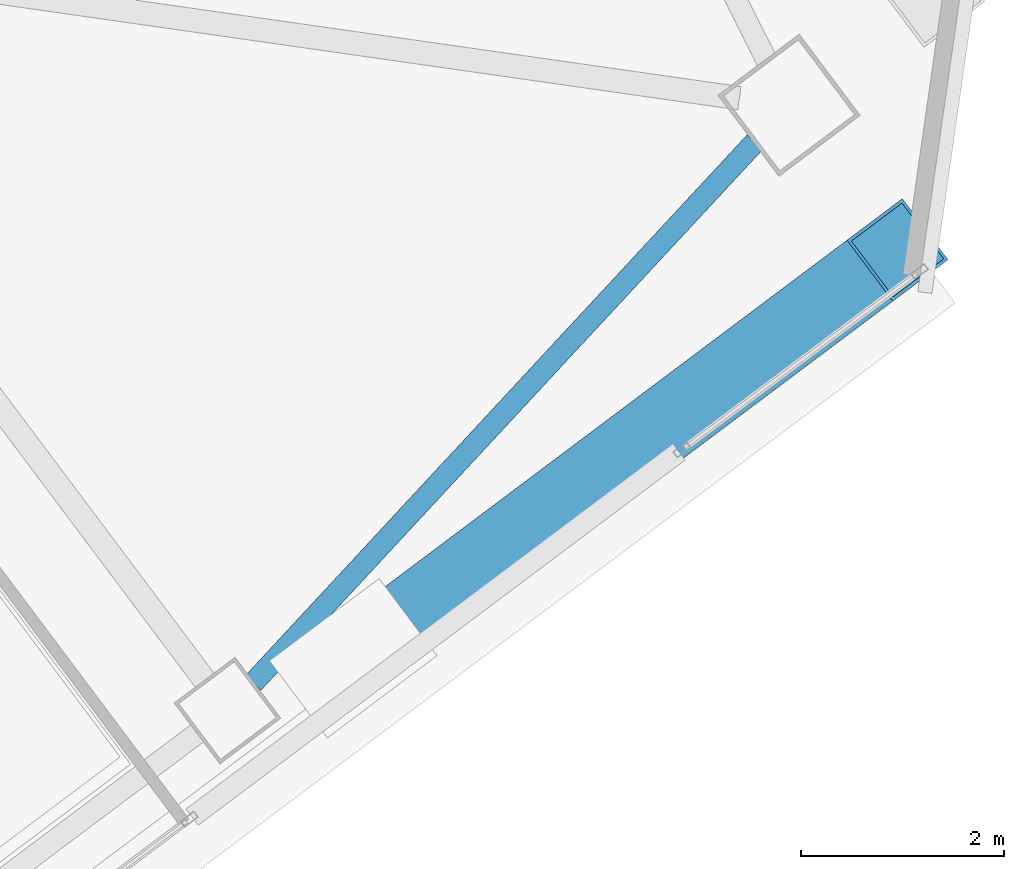
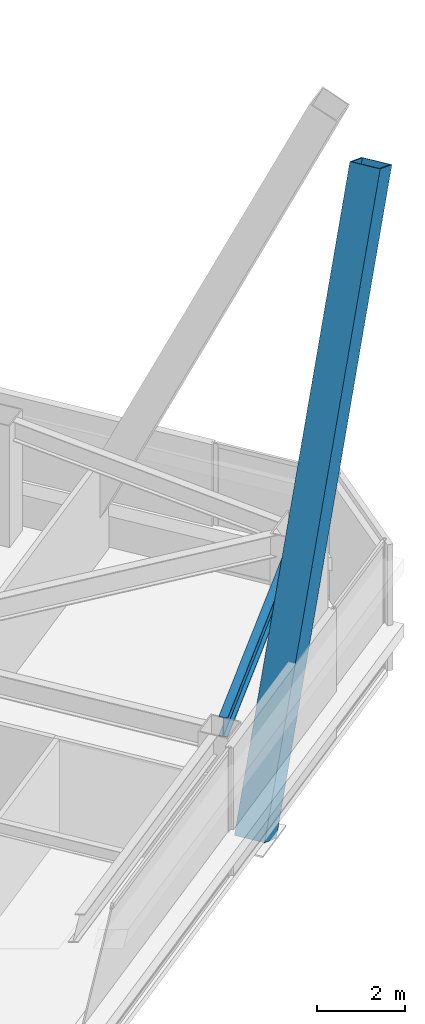
# One storey, part 36 of 56: 1 beam, 1 member.
"""IFC4 building model written with IfcOpenShell, lengths in metres."""

from ifc_helpers import new_model, si_unit, direction, frame, origin, origin_2d, place, context, subcontext, project, spatial, hollow_rectangle, i_section, extrude, material, material_profile, profile_set, type_object, element, save


model = new_model("IFC4")

# Units and contexts
model_context = context("Model", 3, precision=1e-05, world=origin(), true_north=direction((0.0, 1.0)))
body_context = subcontext(model_context, "Body", "Model", "MODEL_VIEW")
ifc_project = project(units=[si_unit("LENGTHUNIT", "METRE"), si_unit("AREAUNIT", "SQUARE_METRE"), si_unit("VOLUMEUNIT", "CUBIC_METRE"), si_unit("PLANEANGLEUNIT", "RADIAN"), si_unit("MASSUNIT", "GRAM", prefix="KILO")], contexts=[model_context])

# Site, building, storey
site_placement = place(None, origin())
site = spatial("IfcSite", under=ifc_project, at=site_placement, CompositionType="ELEMENT")
building_placement = place(site_placement, origin())
building = spatial("IfcBuilding", under=site, at=building_placement, Name="Tashvorn Skyway Center", CompositionType="ELEMENT")
storey_placement = place(building_placement, frame((0.0, 0.0, 218.39990234375)))
storey = spatial("IfcBuildingStorey", under=building, at=storey_placement, Name="L59", CompositionType="ELEMENT", Elevation=218.39990234375)

# Beam
ifc_material_1 = material(Name="Steel ASTM A992 Grade 50", Category="steel")
ifc_material_profile_1 = material_profile(ifc_material_1, i_section(OverallWidth=0.2109375, OverallDepth=0.5390625, WebThickness=0.01171875, FlangeThickness=0.018798828125, at=origin_2d()), Name="W21X73")
ifc_profile_set_1 = profile_set([ifc_material_profile_1], Name="Steel ASTM A992 Grade 50")
beam_type = type_object("IfcBeamType", Name="BM-SPANDREL-W21X73", PredefinedType="SPANDREL", material=ifc_profile_set_1)
beam_placement = place(storey_placement, frame((127.481689453125, 23.63134765625, 3.1005859375), z_axis=(0.680182956622, 0.733042389989, 0.0), x_axis=(-0.733042389989, 0.680182956622, 0.0)))
element("IfcBeam", 1, at=beam_placement, inside=storey, type_object=beam_type, Name="Tower 2 L59 Spandrel Beam 03", PredefinedType="SPANDREL", context=body_context, shape_type="SweptSolid", body=[
    extrude(i_section(OverallWidth=0.2109375, OverallDepth=0.5390625, WebThickness=0.01171875, FlangeThickness=0.018798828125, at=origin_2d()), origin(), (0.0, 0.0, 1.0), 7.26513671875),
])

# Member
ifc_material_2 = material(Name="Steel ASTM A572 Grade 50", Category="steel")
ifc_material_profile_2 = material_profile(ifc_material_2, hollow_rectangle(XDim=0.75, YDim=0.75, WallThickness=0.031982421875, at=origin_2d()), Name="BOX750x750x32")
ifc_profile_set_2 = profile_set([ifc_material_profile_2], Name="Steel ASTM A572 Grade 50")
member_type = type_object("IfcMemberType", Name="MEM-MB-750", PredefinedType="BRACE", material=ifc_profile_set_2)
member_placement = place(storey_placement, frame((128.468017578125, 23.8759765625, -0.449951171875), z_axis=(0.337085066741, 0.252821477132, 0.906893024828), x_axis=(-0.600011660554, 0.799991254452, 0.0)))
element("IfcMember", 2, at=member_placement, inside=storey, type_object=member_type, Name="Tower 2 Zone 5 S Chevron Mega-Brace R2", PredefinedType="BRACE", context=body_context, shape_type="SweptSolid", body=[
    extrude(hollow_rectangle(XDim=0.75, YDim=0.75, WallThickness=0.031982421875, at=origin_2d()), origin(), (0.0, 0.0, 1.0), 15.900634765625),
])

save(model, "model.ifc")
